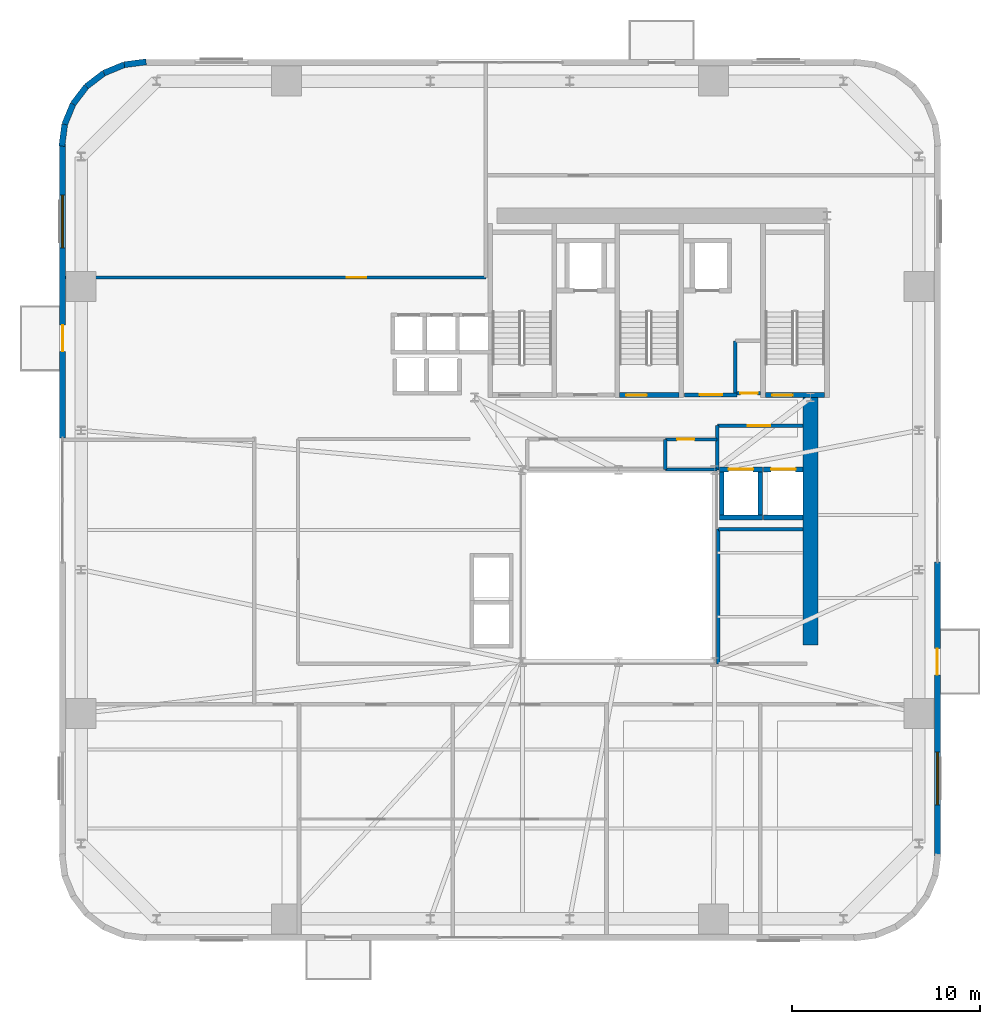
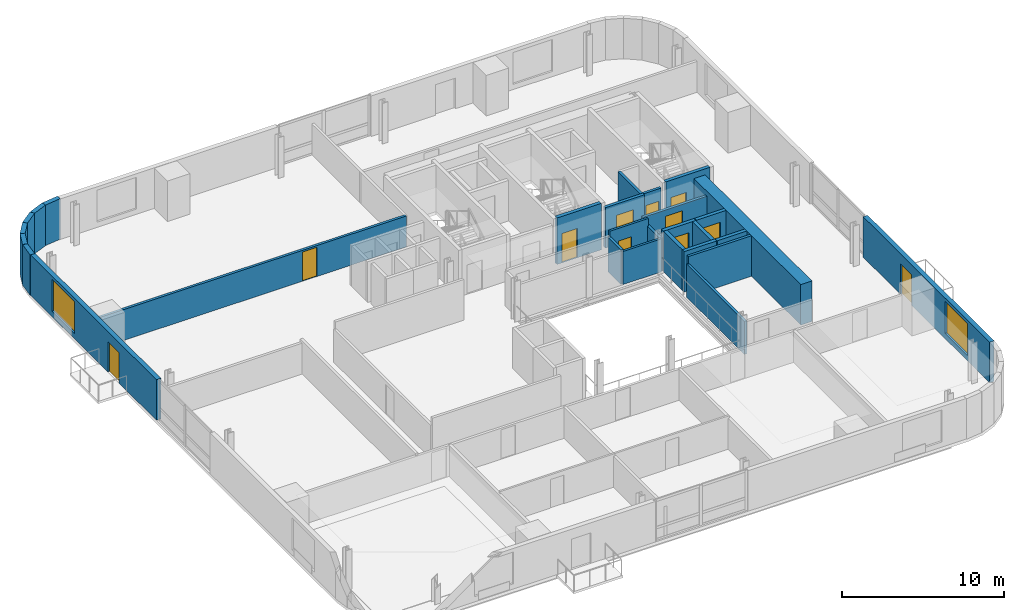
# One storey, part 7 of 14: 28 walls, 11 doors, 2 windows, 13 openings.
"""IFC4 building model written with IfcOpenShell, lengths in metres."""

from ifc_helpers import new_model, si_unit, direction, frame, frame_2d, origin, place, context, subcontext, project, spatial, rectangle, extrude, source, transform, mapped, material, layer, layer_set, type_object, element, fill, save


model = new_model("IFC4")

# Units and contexts
model_context = context("Model", 3, precision=1e-05, world=origin(), true_north=direction((0.0, 1.0)))
body_context = subcontext(model_context, "Body", "Model", "MODEL_VIEW")
ifc_project = project(units=[si_unit("LENGTHUNIT", "METRE"), si_unit("AREAUNIT", "SQUARE_METRE"), si_unit("VOLUMEUNIT", "CUBIC_METRE"), si_unit("PLANEANGLEUNIT", "RADIAN"), si_unit("MASSUNIT", "GRAM", prefix="KILO")], contexts=[model_context])

# Site, building, storey
site_placement = place(None, origin())
site = spatial("IfcSite", under=ifc_project, at=site_placement, CompositionType="ELEMENT")
building_placement = place(site_placement, origin())
building = spatial("IfcBuilding", under=site, at=building_placement, Name="Vardaveli Station Tower", CompositionType="ELEMENT")
storey_placement = place(building_placement, frame((0.0, 0.0, 163.10009765625)))
storey = spatial("IfcBuildingStorey", under=building, at=storey_placement, Name="L42", CompositionType="ELEMENT", Elevation=163.10009765625)

# Wall
ifc_material_1 = material(Name="Concrete C50/60", Category="concrete")
ifc_layer_1 = layer(ifc_material_1, 0.800048828125, Name="Concrete C50/60")
ifc_layer_set_1 = layer_set([ifc_layer_1], Name="Concrete C50/60")
wall_type_1 = type_object("IfcWallType", Name="WAL-CORE-800", PredefinedType="SHEAR", material=ifc_layer_set_1)
shared_shape_1 = source(origin(), body_context, "Body", "SweptSolid", [
    extrude(rectangle(XDim=13.14990234375, YDim=0.800048828125, at=frame_2d((6.574951171875, 0.0))), origin(), (0.0, 0.0, 1.0), 3.0498046875),
])
wall_1_placement = place(storey_placement, frame((46.5, 17.5, 0.0), z_axis=(0.0, 0.0, 1.0), x_axis=(0.0, 1.0, 0.0)))
element("IfcWall", 1, at=wall_1_placement, inside=storey, type_object=wall_type_1, Name="SW-L42-EAST2", PredefinedType="SHEAR", context=body_context, shape_type="MappedRepresentation", body=[
    mapped(shared_shape_1, transform((0.0, 0.0, 0.0), scale=1.0)),
])

# Wall, openings, door, window
ifc_material_2 = material(Name="Precast concrete C45/55", Category="concrete")
ifc_layer_2 = layer(ifc_material_2, 0.320068359375, Name="Precast concrete C45/55")
ifc_layer_set_2 = layer_set([ifc_layer_2], Name="Precast concrete C45/55")
wall_type_2 = type_object("IfcWallType", Name="WAL-EXT-STONE-320", PredefinedType="SOLIDWALL", material=ifc_layer_set_2)
shared_shape_2 = source(origin(), body_context, "Body", "SweptSolid", [
    extrude(rectangle(XDim=15.599853515625, YDim=0.320068359375, at=frame_2d((7.7998046875, 0.0))), origin(), (0.0, 0.0, 1.0), 3.0498046875),
])
wall_2_placement = place(storey_placement, frame((53.239990234375, 6.300048828125, 0.0), z_axis=(0.0, 0.0, 1.0), x_axis=(0.0, 1.0, 0.0)))
wall_2 = element("IfcWall", 2, at=wall_2_placement, inside=storey, type_object=wall_type_2, Name="EW-L42-E1", PredefinedType="SOLIDWALL", context=body_context, shape_type="MappedRepresentation", body=[
    mapped(shared_shape_2, transform((0.0, 0.0, 0.0), scale=1.0)),
])
shared_shape_3 = source(origin(), body_context, "Body", "SweptSolid", [
    extrude(rectangle(XDim=1.39990234375, YDim=2.300048828125, at=frame_2d((0.699951171875, 1.14990234375))), frame((0.0, 0.169921875, 0.0), z_axis=(0.0, -1.0, 0.0), x_axis=(1.0, 0.0, 0.0)), (0.0, 0.0, 1.0), 0.340087890625),
])
opening_1_placement = place(wall_2_placement, frame((9.6103515625, 0.0, 0.0)))
opening_1 = element("IfcOpeningElement", 3, at=opening_1_placement, cuts=wall_2, Name="Opening D-09", PredefinedType="OPENING", context=body_context, shape_type="MappedRepresentation", body=[
    mapped(shared_shape_3, transform((0.0, 0.0, 0.0), scale=1.0)),
])
shared_shape_4 = source(origin(), body_context, "Body", "SweptSolid", [
    extrude(rectangle(XDim=2.800048828125, YDim=2.39990234375, at=frame_2d((1.39990234375, 1.199951171875))), frame((0.0, 0.169921875, 0.0), z_axis=(0.0, -1.0, 0.0), x_axis=(1.0, 0.0, 0.0)), (0.0, 0.0, 1.0), 0.340087890625),
])
opening_2_placement = place(wall_2_placement, frame((2.705078125, 0.0, 0.389892578125)))
opening_2 = element("IfcOpeningElement", 4, at=opening_2_placement, cuts=wall_2, Name="Opening W-04", PredefinedType="OPENING", context=body_context, shape_type="MappedRepresentation", body=[
    mapped(shared_shape_4, transform((0.0, 0.0, 0.0), scale=1.0)),
])
ifc_material_3 = material(Name="Thermally broken aluminium glass", Category="aluminium")
door_type_1 = type_object("IfcDoorType", Name="DR-LOG-1400x2300", OperationType="DOUBLE_DOOR_SLIDING", PredefinedType="DOOR", material=ifc_material_3)
shared_shape_5 = source(origin(), body_context, "Body", "SweptSolid", [
    extrude(rectangle(XDim=1.39990234375, YDim=2.300048828125, at=frame_2d((0.699951171875, 1.14990234375))), frame((0.0, 0.02490234375, 0.0), z_axis=(0.0, -1.0, 0.0), x_axis=(1.0, 0.0, 0.0)), (0.0, 0.0, 1.0), 0.050048828125),
])
door_1_placement = place(opening_1_placement, frame((1.39990234375, 0.0, 0.0), z_axis=(0.0, 0.0, 1.0), x_axis=(-1.0, 0.0, 0.0)))
door_1 = element("IfcDoor", 5, at=door_1_placement, inside=storey, type_object=door_type_1, Name="DLG-L42-E", OperationType="DOUBLE_DOOR_SLIDING", OverallHeight=2.300048828125, OverallWidth=1.39990234375, PredefinedType="DOOR", context=body_context, shape_type="MappedRepresentation", body=[
    mapped(shared_shape_5, transform((0.0, 0.0, 0.0), scale=1.0)),
])
fill(opening_1, door_1)
ifc_material_4 = material(Name="Low-E solar-control glass", Category="glass")
window_type = type_object("IfcWindowType", Name="WIN-SUITE-2800x2400", PartitioningType="SINGLE_PANEL", PredefinedType="WINDOW", material=ifc_material_4)
shared_shape_6 = source(origin(), body_context, "Body", "SweptSolid", [
    extrude(rectangle(XDim=2.800048828125, YDim=2.39990234375, at=frame_2d((1.39990234375, 1.199951171875))), frame((0.0, 0.030029296875, 0.0), z_axis=(0.0, -1.0, 0.0), x_axis=(1.0, 0.0, 0.0)), (0.0, 0.0, 1.0), 0.06005859375),
])
window_1_placement = place(opening_2_placement, origin())
window_1 = element("IfcWindow", 6, at=window_1_placement, inside=storey, type_object=window_type, Name="WN-L42-E1", OverallHeight=2.39990234375, OverallWidth=2.800048828125, PartitioningType="SINGLE_PANEL", PredefinedType="WINDOW", context=body_context, shape_type="MappedRepresentation", body=[
    mapped(shared_shape_6, transform((0.0, 0.0, 0.0), scale=1.0)),
])
fill(opening_2, window_1)

shared_shape_7 = source(origin(), body_context, "Body", "SweptSolid", [
    extrude(rectangle(XDim=15.60009765625, YDim=0.320068359375, at=frame_2d((7.800048828125, 0.0))), origin(), (0.0, 0.0, 1.0), 3.0498046875),
])
wall_3_placement = place(storey_placement, frame((6.760009765625, 44.10009765625, 0.0), z_axis=(0.0, 0.0, 1.0), x_axis=(0.0, -1.0, 0.0)))
wall_3 = element("IfcWall", 7, at=wall_3_placement, inside=storey, type_object=wall_type_2, Name="EW-L42-W1", PredefinedType="SOLIDWALL", context=body_context, shape_type="MappedRepresentation", body=[
    mapped(shared_shape_7, transform((0.0, 0.0, 0.0), scale=1.0)),
])
opening_3_placement = place(wall_3_placement, frame((9.6103515625, 0.0, 0.0)))
opening_3 = element("IfcOpeningElement", 8, at=opening_3_placement, cuts=wall_3, Name="Opening D-09", PredefinedType="OPENING", context=body_context, shape_type="MappedRepresentation", body=[
    mapped(shared_shape_3, transform((0.0, 0.0, 0.0), scale=1.0)),
])
opening_4_placement = place(wall_3_placement, frame((2.705078125, 0.0, 0.389892578125)))
opening_4 = element("IfcOpeningElement", 9, at=opening_4_placement, cuts=wall_3, Name="Opening W-04", PredefinedType="OPENING", context=body_context, shape_type="MappedRepresentation", body=[
    mapped(shared_shape_4, transform((0.0, 0.0, 0.0), scale=1.0)),
])
door_2_placement = place(opening_3_placement, frame((1.39990234375, 0.0, 0.0), z_axis=(0.0, 0.0, 1.0), x_axis=(-1.0, 0.0, 0.0)))
door_2 = element("IfcDoor", 10, at=door_2_placement, inside=storey, type_object=door_type_1, Name="DLG-L42-W", OperationType="DOUBLE_DOOR_SLIDING", OverallHeight=2.300048828125, OverallWidth=1.39990234375, PredefinedType="DOOR", context=body_context, shape_type="MappedRepresentation", body=[
    mapped(shared_shape_5, transform((0.0, 0.0, 0.0), scale=1.0)),
])
fill(opening_3, door_2)
window_2_placement = place(opening_4_placement, origin())
window_2 = element("IfcWindow", 11, at=window_2_placement, inside=storey, type_object=window_type, Name="WN-L42-W1", OverallHeight=2.39990234375, OverallWidth=2.800048828125, PartitioningType="SINGLE_PANEL", PredefinedType="WINDOW", context=body_context, shape_type="MappedRepresentation", body=[
    mapped(shared_shape_6, transform((0.0, 0.0, 0.0), scale=1.0)),
])
fill(opening_4, window_2)

# Walls
shared_shape_8 = source(origin(), body_context, "Body", "SweptSolid", [
    extrude(rectangle(XDim=1.1689453125, YDim=0.320068359375, at=frame_2d((0.58447265625, 0.0))), origin(), (0.0, 0.0, 1.0), 3.0498046875),
])
wall_4_placement = place(storey_placement, frame((8.03125, 47.1689453125, 0.0), z_axis=(0.0, 0.0, 1.0), x_axis=(-0.608387696831, -0.793639975269, 0.0)))
element("IfcWall", 12, at=wall_4_placement, inside=storey, type_object=wall_type_2, Name="EW-L42-CR4-4", PredefinedType="SOLIDWALL", context=body_context, shape_type="MappedRepresentation", body=[
    mapped(shared_shape_8, transform((0.0, 0.0, 0.0), scale=1.0)),
])
shared_shape_9 = source(origin(), body_context, "Body", "SweptSolid", [
    extrude(rectangle(XDim=1.168701171875, YDim=0.320068359375, at=frame_2d((0.58447265625, 0.0))), origin(), (0.0, 0.0, 1.0), 3.0498046875),
])
wall_5_placement = place(storey_placement, frame((8.958740234375, 47.8798828125, 0.0), z_axis=(0.0, 0.0, 1.0), x_axis=(-0.793663520347, -0.608356981114, 0.0)))
element("IfcWall", 13, at=wall_5_placement, inside=storey, type_object=wall_type_2, Name="EW-L42-CR4-3", PredefinedType="SOLIDWALL", context=body_context, shape_type="MappedRepresentation", body=[
    mapped(shared_shape_9, transform((0.0, 0.0, 0.0), scale=1.0)),
])
shared_shape_10 = source(origin(), body_context, "Body", "SweptSolid", [
    extrude(rectangle(XDim=1.17041015625, YDim=0.320068359375, at=frame_2d((0.585205078125, 0.0))), origin(), (0.0, 0.0, 1.0), 3.0498046875),
])
for number, where, z_axis, x_axis, name in (
    (14, (11.200439453125, 48.4755859375, 0.0), (0.0, 0.0, 1.0), (-0.991735963317, -0.128295670475, 0.0), "EW-L42-CR4-1"),
    (15, (6.87451171875, 45.16015625, 0.0), (0.0, 0.0, 1.0), (-0.128295670475, -0.991735963317, 0.0), "EW-L42-CR4-6"),
):
    element("IfcWall", number, at=place(storey_placement, frame(where, z_axis=z_axis, x_axis=x_axis)), inside=storey, type_object=wall_type_2, Name=name, PredefinedType="SOLIDWALL", context=body_context, shape_type="MappedRepresentation", body=[
        mapped(shared_shape_10, transform((0.0, 0.0, 0.0), scale=1.0)),
    ])
shared_shape_11 = source(origin(), body_context, "Body", "SweptSolid", [
    extrude(rectangle(XDim=1.169189453125, YDim=0.320068359375, at=frame_2d((0.58447265625, 0.0))), origin(), (0.0, 0.0, 1.0), 3.0498046875),
])
for number, where, z_axis, x_axis, name in (
    (16, (10.039794921875, 48.325439453125, 0.0), (0.0, 0.0, 1.0), (-0.924552646638, -0.381054331552, 0.0), "EW-L42-CR4-2"),
    (17, (7.320068359375, 46.2412109375, 0.0), (0.0, 0.0, 1.0), (-0.381054331552, -0.924552646638, 0.0), "EW-L42-CR4-5"),
):
    element("IfcWall", number, at=place(storey_placement, frame(where, z_axis=z_axis, x_axis=x_axis)), inside=storey, type_object=wall_type_2, Name=name, PredefinedType="SOLIDWALL", context=body_context, shape_type="MappedRepresentation", body=[
        mapped(shared_shape_11, transform((0.0, 0.0, 0.0), scale=1.0)),
    ])

# Wall, opening, door
ifc_material_5 = material(Name="Concrete C40/50", Category="concrete")
ifc_layer_3 = layer(ifc_material_5, 0.25, Name="Concrete C40/50")
ifc_layer_set_3 = layer_set([ifc_layer_3], Name="Concrete C40/50")
wall_type_3 = type_object("IfcWallType", Name="WAL-SHAFT-250", PredefinedType="SOLIDWALL", material=ifc_layer_set_3)
shared_shape_12 = source(origin(), body_context, "Body", "SweptSolid", [
    extrude(rectangle(XDim=3.14990234375, YDim=0.25, at=frame_2d((1.574951171875, 0.0))), origin(), (0.0, 0.0, 1.0), 3.5),
])
wall_6_placement = place(storey_placement, frame((36.35009765625, 30.77490234375, 0.0), z_axis=(0.0, 0.0, 1.0), x_axis=(1.0, 0.0, 0.0)))
wall_6 = element("IfcWall", 18, at=wall_6_placement, inside=storey, type_object=wall_type_3, Name="W-L42-ST-2S", PredefinedType="SOLIDWALL", context=body_context, shape_type="MappedRepresentation", body=[
    mapped(shared_shape_12, transform((0.0, 0.0, 0.0), scale=1.0)),
])
shared_shape_13 = source(origin(), body_context, "Body", "SweptSolid", [
    extrude(rectangle(XDim=1.10009765625, YDim=2.199951171875, at=frame_2d((0.550048828125, 1.10009765625))), frame((0.0, 0.135009765625, 0.0), z_axis=(0.0, -1.0, 0.0), x_axis=(1.0, 0.0, 0.0)), (0.0, 0.0, 1.0), 0.27001953125),
])
opening_5_placement = place(wall_6_placement, frame((0.35009765625, 0.0, 0.0)))
opening_5 = element("IfcOpeningElement", 19, at=opening_5_placement, cuts=wall_6, Name="Opening D-04", PredefinedType="OPENING", context=body_context, shape_type="MappedRepresentation", body=[
    mapped(shared_shape_13, transform((0.0, 0.0, 0.0), scale=1.0)),
])
ifc_material_6 = material(Name="Steel smokeproof fire doorset", Category="steel")
door_type_2 = type_object("IfcDoorType", Name="DR-ST-1100x2200", OperationType="NOTDEFINED", PredefinedType="DOOR", material=ifc_material_6)
shared_shape_14 = source(origin(), body_context, "Body", "SweptSolid", [
    extrude(rectangle(XDim=1.10009765625, YDim=2.199951171875, at=frame_2d((0.550048828125, 1.10009765625))), frame((0.0, 0.02490234375, 0.0), z_axis=(0.0, -1.0, 0.0), x_axis=(1.0, 0.0, 0.0)), (0.0, 0.0, 1.0), 0.050048828125),
])
door_3_placement = place(opening_5_placement, origin())
door_3 = element("IfcDoor", 20, at=door_3_placement, inside=storey, type_object=door_type_2, Name="DST-2-L42", OperationType="SINGLE_SWING_LEFT", OverallHeight=2.199951171875, OverallWidth=1.10009765625, PredefinedType="DOOR", context=body_context, shape_type="MappedRepresentation", body=[
    mapped(shared_shape_14, transform((0.0, 0.0, 0.0), scale=1.0)),
])
fill(opening_5, door_3)

wall_7_placement = place(storey_placement, frame((44.10009765625, 30.77490234375, 0.0), z_axis=(0.0, 0.0, 1.0), x_axis=(1.0, 0.0, 0.0)))
wall_7 = element("IfcWall", 21, at=wall_7_placement, inside=storey, type_object=wall_type_3, Name="W-L42-ST-3S", PredefinedType="SOLIDWALL", context=body_context, shape_type="MappedRepresentation", body=[
    mapped(shared_shape_12, transform((0.0, 0.0, 0.0), scale=1.0)),
])
opening_6_placement = place(wall_7_placement, frame((0.35009765625, 0.0, 0.0)))
opening_6 = element("IfcOpeningElement", 22, at=opening_6_placement, cuts=wall_7, Name="Opening D-04", PredefinedType="OPENING", context=body_context, shape_type="MappedRepresentation", body=[
    mapped(shared_shape_13, transform((0.0, 0.0, 0.0), scale=1.0)),
])
door_4_placement = place(opening_6_placement, origin())
door_4 = element("IfcDoor", 23, at=door_4_placement, inside=storey, type_object=door_type_2, Name="DST-3-L42", OperationType="SINGLE_SWING_LEFT", OverallHeight=2.199951171875, OverallWidth=1.10009765625, PredefinedType="DOOR", context=body_context, shape_type="MappedRepresentation", body=[
    mapped(shared_shape_14, transform((0.0, 0.0, 0.0), scale=1.0)),
])
fill(opening_6, door_4)

ifc_layer_4 = layer(ifc_material_5, 0.219970703125, Name="Concrete C40/50")
ifc_layer_set_4 = layer_set([ifc_layer_4], Name="Concrete C40/50")
wall_type_4 = type_object("IfcWallType", Name="WAL-FFLOBBY-220", PredefinedType="SOLIDWALL", material=ifc_layer_set_4)
shared_shape_15 = source(origin(), body_context, "Body", "SweptSolid", [
    extrude(rectangle(XDim=2.800048828125, YDim=0.219970703125, at=frame_2d((1.39990234375, 0.0))), origin(), (0.0, 0.0, 1.0), 3.0498046875),
])
wall_8_placement = place(storey_placement, frame((39.800048828125, 30.780029296875, 0.0), z_axis=(0.0, 0.0, 1.0), x_axis=(1.0, 0.0, 0.0)))
wall_8 = element("IfcWall", 24, at=wall_8_placement, inside=storey, type_object=wall_type_4, Name="W-L42-FFL2S", PredefinedType="SOLIDWALL", context=body_context, shape_type="MappedRepresentation", body=[
    mapped(shared_shape_15, transform((0.0, 0.0, 0.0), scale=1.0)),
])
shared_shape_16 = source(origin(), body_context, "Body", "SweptSolid", [
    extrude(rectangle(XDim=1.199951171875, YDim=2.199951171875, at=frame_2d((0.60009765625, 1.10009765625))), frame((0.0, 0.1201171875, 0.0), z_axis=(0.0, -1.0, 0.0), x_axis=(1.0, 0.0, 0.0)), (0.0, 0.0, 1.0), 0.239990234375),
])
opening_7_placement = place(wall_8_placement, frame((0.800048828125, 0.0, 0.0)))
opening_7 = element("IfcOpeningElement", 25, at=opening_7_placement, cuts=wall_8, Name="Opening D-03", PredefinedType="OPENING", context=body_context, shape_type="MappedRepresentation", body=[
    mapped(shared_shape_16, transform((0.0, 0.0, 0.0), scale=1.0)),
])
door_type_3 = type_object("IfcDoorType", Name="DR-FFL-1200x2200", OperationType="NOTDEFINED", PredefinedType="DOOR", material=ifc_material_6)
shared_shape_17 = source(origin(), body_context, "Body", "SweptSolid", [
    extrude(rectangle(XDim=1.199951171875, YDim=2.199951171875, at=frame_2d((0.60009765625, 1.10009765625))), frame((0.0, 0.02490234375, 0.0), z_axis=(0.0, -1.0, 0.0), x_axis=(1.0, 0.0, 0.0)), (0.0, 0.0, 1.0), 0.050048828125),
])
door_5_placement = place(opening_7_placement, origin())
door_5 = element("IfcDoor", 26, at=door_5_placement, inside=storey, type_object=door_type_3, Name="DFFL2-L42", OperationType="SINGLE_SWING_RIGHT", OverallHeight=2.199951171875, OverallWidth=1.199951171875, PredefinedType="DOOR", context=body_context, shape_type="MappedRepresentation", body=[
    mapped(shared_shape_17, transform((0.0, 0.0, 0.0), scale=1.0)),
])
fill(opening_7, door_5)

# Wall
shared_shape_18 = source(origin(), body_context, "Body", "SweptSolid", [
    extrude(rectangle(XDim=2.300048828125, YDim=0.25, at=frame_2d((1.14990234375, 0.0))), origin(), (0.0, 0.0, 1.0), 3.0498046875),
])
wall_9_placement = place(storey_placement, frame((41.64990234375, 24.27490234375, 0.0), z_axis=(0.0, 0.0, 1.0), x_axis=(1.0, 0.0, 0.0)))
element("IfcWall", 27, at=wall_9_placement, inside=storey, type_object=wall_type_3, Name="SHW-SRV-01-L42-S", PredefinedType="SOLIDWALL", context=body_context, shape_type="MappedRepresentation", body=[
    mapped(shared_shape_18, transform((0.0, 0.0, 0.0), scale=1.0)),
])

# Wall, opening, door
wall_10_placement = place(storey_placement, frame((41.64990234375, 26.824951171875, 0.0), z_axis=(0.0, 0.0, 1.0), x_axis=(1.0, 0.0, 0.0)))
wall_10 = element("IfcWall", 28, at=wall_10_placement, inside=storey, type_object=wall_type_3, Name="SHW-SRV-01-L42-N", PredefinedType="SOLIDWALL", context=body_context, shape_type="MappedRepresentation", body=[
    mapped(shared_shape_18, transform((0.0, 0.0, 0.0), scale=1.0)),
])
shared_shape_19 = source(origin(), body_context, "Body", "SweptSolid", [
    extrude(rectangle(XDim=1.300048828125, YDim=2.300048828125, at=frame_2d((0.64990234375, 1.14990234375))), frame((0.0, 0.135009765625, 0.0), z_axis=(0.0, -1.0, 0.0), x_axis=(1.0, 0.0, 0.0)), (0.0, 0.0, 1.0), 0.27001953125),
])
opening_8_placement = place(wall_10_placement, frame((0.5, 0.0, 0.0)))
opening_8 = element("IfcOpeningElement", 29, at=opening_8_placement, cuts=wall_10, Name="Opening LD-03", PredefinedType="OPENING", context=body_context, shape_type="MappedRepresentation", body=[
    mapped(shared_shape_19, transform((0.0, 0.0, 0.0), scale=1.0)),
])
ifc_material_7 = material(Name="Brushed stainless steel", Category="steel")
door_type_4 = type_object("IfcDoorType", Name="DR-LD-1300x2300", OperationType="DOUBLE_DOOR_SLIDING", PredefinedType="DOOR", material=ifc_material_7)
shared_shape_20 = source(origin(), body_context, "Body", "SweptSolid", [
    extrude(rectangle(XDim=1.300048828125, YDim=2.300048828125, at=frame_2d((0.64990234375, 1.14990234375))), frame((0.0, 0.02490234375, 0.0), z_axis=(0.0, -1.0, 0.0), x_axis=(1.0, 0.0, 0.0)), (0.0, 0.0, 1.0), 0.050048828125),
])
door_6_placement = place(opening_8_placement, origin())
door_6 = element("IfcDoor", 30, at=door_6_placement, inside=storey, type_object=door_type_4, Name="LD-SRV-01-L42", OperationType="DOUBLE_DOOR_SLIDING", OverallHeight=2.300048828125, OverallWidth=1.300048828125, PredefinedType="DOOR", context=body_context, shape_type="MappedRepresentation", body=[
    mapped(shared_shape_20, transform((0.0, 0.0, 0.0), scale=1.0)),
])
fill(opening_8, door_6)

# Walls
for number, where, z_axis, x_axis, name in (
    (31, (41.77490234375, 24.39990234375, 0.0), (0.0, 0.0, 1.0), (0.0, 1.0, 0.0), "SHW-SRV-01-L42-W"),
    (32, (43.824951171875, 24.39990234375, 0.0), (0.0, 0.0, 1.0), (0.0, 1.0, 0.0), "SHW-SRV-01-L42-E"),
):
    element("IfcWall", number, at=place(storey_placement, frame(where, z_axis=z_axis, x_axis=x_axis)), inside=storey, type_object=wall_type_3, Name=name, PredefinedType="SOLIDWALL", context=body_context, shape_type="MappedRepresentation", body=[
        mapped(shared_shape_18, transform((0.0, 0.0, 0.0), scale=1.0)),
    ])
shared_shape_21 = source(origin(), body_context, "Body", "SweptSolid", [
    extrude(rectangle(XDim=2.10009765625, YDim=0.25, at=frame_2d((1.050048828125, 0.0))), origin(), (0.0, 0.0, 1.0), 3.0498046875),
])
wall_11_placement = place(storey_placement, frame((44.0, 24.27490234375, 0.0), z_axis=(0.0, 0.0, 1.0), x_axis=(1.0, 0.0, 0.0)))
element("IfcWall", 33, at=wall_11_placement, inside=storey, type_object=wall_type_3, Name="SHW-SRV-02-L42-S", PredefinedType="SOLIDWALL", context=body_context, shape_type="MappedRepresentation", body=[
    mapped(shared_shape_21, transform((0.0, 0.0, 0.0), scale=1.0)),
])

# Wall, opening, door
wall_12_placement = place(storey_placement, frame((44.0, 26.824951171875, 0.0), z_axis=(0.0, 0.0, 1.0), x_axis=(1.0, 0.0, 0.0)))
wall_12 = element("IfcWall", 34, at=wall_12_placement, inside=storey, type_object=wall_type_3, Name="SHW-SRV-02-L42-N", PredefinedType="SOLIDWALL", context=body_context, shape_type="MappedRepresentation", body=[
    mapped(shared_shape_21, transform((0.0, 0.0, 0.0), scale=1.0)),
])
opening_9_placement = place(wall_12_placement, frame((0.39990234375, 0.0, 0.0)))
opening_9 = element("IfcOpeningElement", 35, at=opening_9_placement, cuts=wall_12, Name="Opening LD-03", PredefinedType="OPENING", context=body_context, shape_type="MappedRepresentation", body=[
    mapped(shared_shape_19, transform((0.0, 0.0, 0.0), scale=1.0)),
])
door_7_placement = place(opening_9_placement, origin())
door_7 = element("IfcDoor", 36, at=door_7_placement, inside=storey, type_object=door_type_4, Name="LD-SRV-02-L42", OperationType="DOUBLE_DOOR_SLIDING", OverallHeight=2.300048828125, OverallWidth=1.300048828125, PredefinedType="DOOR", context=body_context, shape_type="MappedRepresentation", body=[
    mapped(shared_shape_20, transform((0.0, 0.0, 0.0), scale=1.0)),
])
fill(opening_9, door_7)

ifc_material_8 = material(Name="Fire-rated gypsum stud partition")
ifc_layer_5 = layer(ifc_material_8, 0.179931640625, Name="Fire-rated gypsum stud partition")
ifc_layer_set_5 = layer_set([ifc_layer_5], Name="Fire-rated gypsum stud partition")
wall_type_5 = type_object("IfcWallType", Name="WAL-CORR-180", PredefinedType="PARTITIONING", material=ifc_layer_set_5)
shared_shape_22 = source(origin(), body_context, "Body", "SweptSolid", [
    extrude(rectangle(XDim=22.327880859375, YDim=0.179931640625, at=frame_2d((11.1640625, 0.0))), origin(), (0.0, 0.0, 1.0), 2.325927734375),
])
wall_13_placement = place(storey_placement, frame((6.922119140625, 37.02001953125, 0.0), z_axis=(0.0, 0.0, 1.0), x_axis=(1.0, 0.0, 0.0)))
wall_13 = element("IfcWall", 37, at=wall_13_placement, inside=storey, type_object=wall_type_5, Name="W-L42-CNWS", PredefinedType="PARTITIONING", context=body_context, shape_type="MappedRepresentation", body=[
    mapped(shared_shape_22, transform((0.0, 0.0, 0.0), scale=1.0)),
])
shared_shape_23 = source(origin(), body_context, "Body", "SweptSolid", [
    extrude(rectangle(XDim=1.050048828125, YDim=2.199951171875, at=frame_2d((0.52490234375, 1.10009765625))), frame((0.0, 0.10009765625, 0.0), z_axis=(0.0, -1.0, 0.0), x_axis=(1.0, 0.0, 0.0)), (0.0, 0.0, 1.0), 0.199951171875),
])
opening_10_placement = place(wall_13_placement, frame((14.927978515625, 0.0, 0.0)))
opening_10 = element("IfcOpeningElement", 38, at=opening_10_placement, cuts=wall_13, Name="Opening D-05", PredefinedType="OPENING", context=body_context, shape_type="MappedRepresentation", body=[
    mapped(shared_shape_23, transform((0.0, 0.0, 0.0), scale=1.0)),
])
ifc_material_9 = material(Name="Walnut veneer acoustic fire door")
door_type_5 = type_object("IfcDoorType", Name="DR-SUITE-1050x2200", OperationType="NOTDEFINED", PredefinedType="DOOR", material=ifc_material_9)
shared_shape_24 = source(origin(), body_context, "Body", "SweptSolid", [
    extrude(rectangle(XDim=1.050048828125, YDim=2.199951171875, at=frame_2d((0.52490234375, 1.10009765625))), frame((0.0, 0.02490234375, 0.0), z_axis=(0.0, -1.0, 0.0), x_axis=(1.0, 0.0, 0.0)), (0.0, 0.0, 1.0), 0.050048828125),
])
door_8_placement = place(opening_10_placement, origin())
door_8 = element("IfcDoor", 39, at=door_8_placement, inside=storey, type_object=door_type_5, Name="D-L42-GNW1", OperationType="SINGLE_SWING_RIGHT", OverallHeight=2.199951171875, OverallWidth=1.050048828125, PredefinedType="DOOR", context=body_context, shape_type="MappedRepresentation", body=[
    mapped(shared_shape_24, transform((0.0, 0.0, 0.0), scale=1.0)),
])
fill(opening_10, door_8)

shared_shape_25 = source(origin(), body_context, "Body", "SweptSolid", [
    extrude(rectangle(XDim=4.5478515625, YDim=0.179931640625, at=frame_2d((2.27392578125, 0.0))), origin(), (0.0, 0.0, 1.0), 2.681884765625),
])
wall_14_placement = place(storey_placement, frame((41.550048828125, 29.14990234375, 0.0), z_axis=(0.0, 0.0, 1.0), x_axis=(1.0, 0.0, 0.0)))
wall_14 = element("IfcWall", 40, at=wall_14_placement, inside=storey, type_object=wall_type_5, Name="W-L42-SVFN", PredefinedType="PARTITIONING", context=body_context, shape_type="MappedRepresentation", body=[
    mapped(shared_shape_25, transform((0.0, 0.0, 0.0), scale=1.0)),
])
shared_shape_26 = source(origin(), body_context, "Body", "SweptSolid", [
    extrude(rectangle(XDim=1.199951171875, YDim=2.199951171875, at=frame_2d((0.60009765625, 1.10009765625))), frame((0.0, 0.10009765625, 0.0), z_axis=(0.0, -1.0, 0.0), x_axis=(1.0, 0.0, 0.0)), (0.0, 0.0, 1.0), 0.199951171875),
])
opening_11_placement = place(wall_14_placement, frame((1.60009765625, 0.0, 0.0)))
opening_11 = element("IfcOpeningElement", 41, at=opening_11_placement, cuts=wall_14, Name="Opening D-03", PredefinedType="OPENING", context=body_context, shape_type="MappedRepresentation", body=[
    mapped(shared_shape_26, transform((0.0, 0.0, 0.0), scale=1.0)),
])
door_9_placement = place(opening_11_placement, origin())
door_9 = element("IfcDoor", 42, at=door_9_placement, inside=storey, type_object=door_type_3, Name="D-L42-SVF", OperationType="SINGLE_SWING_LEFT", OverallHeight=2.199951171875, OverallWidth=1.199951171875, PredefinedType="DOOR", context=body_context, shape_type="MappedRepresentation", body=[
    mapped(shared_shape_17, transform((0.0, 0.0, 0.0), scale=1.0)),
])
fill(opening_11, door_9)

ifc_material_10 = material(Name="Moisture-resistant stud partition")
ifc_layer_6 = layer(ifc_material_10, 0.14990234375, Name="Moisture-resistant stud partition")
ifc_layer_set_6 = layer_set([ifc_layer_6], Name="Moisture-resistant stud partition")
wall_type_6 = type_object("IfcWallType", Name="WAL-WET-150", PredefinedType="PARTITIONING", material=ifc_layer_set_6)
shared_shape_27 = source(origin(), body_context, "Body", "SweptSolid", [
    extrude(rectangle(XDim=2.739990234375, YDim=0.14990234375, at=frame_2d((1.3701171875, 0.0))), origin(), (0.0, 0.0, 1.0), 3.0498046875),
])
wall_15_placement = place(storey_placement, frame((38.780029296875, 28.419921875, 0.0), z_axis=(0.0, 0.0, 1.0), x_axis=(1.0, 0.0, 0.0)))
wall_15 = element("IfcWall", 43, at=wall_15_placement, inside=storey, type_object=wall_type_6, Name="W-L42-WCA0-N", PredefinedType="PARTITIONING", context=body_context, shape_type="MappedRepresentation", body=[
    mapped(shared_shape_27, transform((0.0, 0.0, 0.0), scale=1.0)),
])
shared_shape_28 = source(origin(), body_context, "Body", "SweptSolid", [
    extrude(rectangle(XDim=0.919921875, YDim=2.10009765625, at=frame_2d((0.4599609375, 1.050048828125))), frame((0.0, 0.0849609375, 0.0), z_axis=(0.0, -1.0, 0.0), x_axis=(1.0, 0.0, 0.0)), (0.0, 0.0, 1.0), 0.169921875),
])
opening_12_placement = place(wall_15_placement, frame((0.6298828125, 0.0, 0.0)))
opening_12 = element("IfcOpeningElement", 44, at=opening_12_placement, cuts=wall_15, Name="Opening D-07", PredefinedType="OPENING", context=body_context, shape_type="MappedRepresentation", body=[
    mapped(shared_shape_28, transform((0.0, 0.0, 0.0), scale=1.0)),
])
ifc_material_11 = material(Name="Moisture-resistant hardwood door", Category="wood")
door_type_6 = type_object("IfcDoorType", Name="DR-WC-920x2100", OperationType="NOTDEFINED", PredefinedType="DOOR", material=ifc_material_11)
shared_shape_29 = source(origin(), body_context, "Body", "SweptSolid", [
    extrude(rectangle(XDim=0.919921875, YDim=2.10009765625, at=frame_2d((0.4599609375, 1.050048828125))), frame((0.0, 0.02490234375, 0.0), z_axis=(0.0, -1.0, 0.0), x_axis=(1.0, 0.0, 0.0)), (0.0, 0.0, 1.0), 0.050048828125),
])
door_10_placement = place(opening_12_placement, origin())
door_10 = element("IfcDoor", 45, at=door_10_placement, inside=storey, type_object=door_type_6, Name="D-L42-WCA", OperationType="SINGLE_SWING_LEFT", OverallHeight=2.10009765625, OverallWidth=0.919921875, PredefinedType="DOOR", context=body_context, shape_type="MappedRepresentation", body=[
    mapped(shared_shape_29, transform((0.0, 0.0, 0.0), scale=1.0)),
])
fill(opening_12, door_10)

shared_shape_30 = source(origin(), body_context, "Body", "SweptSolid", [
    extrude(rectangle(XDim=1.247802734375, YDim=0.179931640625, at=frame_2d((0.6240234375, 0.0))), origin(), (0.0, 0.0, 1.0), 3.0498046875),
])
wall_16_placement = place(storey_placement, frame((42.60009765625, 30.8798828125, 0.0), z_axis=(0.0, 0.0, 1.0), x_axis=(1.0, 0.0, 0.0)))
wall_16 = element("IfcWall", 46, at=wall_16_placement, inside=storey, type_object=wall_type_5, Name="W-L42-CBS0-S", PredefinedType="PARTITIONING", context=body_context, shape_type="MappedRepresentation", body=[
    mapped(shared_shape_30, transform((0.0, 0.0, 0.0), scale=1.0)),
])
shared_shape_31 = source(origin(), body_context, "Body", "SweptSolid", [
    extrude(rectangle(XDim=0.919921875, YDim=2.10009765625, at=frame_2d((0.4599609375, 1.050048828125))), frame((0.0, 0.10009765625, 0.0), z_axis=(0.0, -1.0, 0.0), x_axis=(1.0, 0.0, 0.0)), (0.0, 0.0, 1.0), 0.199951171875),
])
opening_13_placement = place(wall_16_placement, frame((0.1640625, 0.0, 0.0)))
opening_13 = element("IfcOpeningElement", 47, at=opening_13_placement, cuts=wall_16, Name="Opening D-07", PredefinedType="OPENING", context=body_context, shape_type="MappedRepresentation", body=[
    mapped(shared_shape_31, transform((0.0, 0.0, 0.0), scale=1.0)),
])
door_11_placement = place(opening_13_placement, origin())
door_11 = element("IfcDoor", 48, at=door_11_placement, inside=storey, type_object=door_type_6, Name="D-L42-CBS0", OperationType="SINGLE_SWING_LEFT", OverallHeight=2.10009765625, OverallWidth=0.919921875, PredefinedType="DOOR", context=body_context, shape_type="MappedRepresentation", body=[
    mapped(shared_shape_29, transform((0.0, 0.0, 0.0), scale=1.0)),
])
fill(opening_13, door_11)

# Walls
shared_shape_32 = source(origin(), body_context, "Body", "SweptSolid", [
    extrude(rectangle(XDim=7.14990234375, YDim=0.179931640625, at=frame_2d((3.574951171875, 0.0))), origin(), (0.0, 0.0, 1.0), 2.491943359375),
])
wall_17_placement = place(storey_placement, frame((41.60009765625, 16.5, 0.0), z_axis=(0.0, 0.0, 1.0), x_axis=(0.0, 1.0, 0.0)))
element("IfcWall", 49, at=wall_17_placement, inside=storey, type_object=wall_type_5, Name="W-L42-ATE-W", PredefinedType="PARTITIONING", context=body_context, shape_type="MappedRepresentation", body=[
    mapped(shared_shape_32, transform((0.0, 0.0, 0.0), scale=1.0)),
])
shared_shape_33 = source(origin(), body_context, "Body", "SweptSolid", [
    extrude(rectangle(XDim=4.497802734375, YDim=0.179931640625, at=frame_2d((2.2490234375, 0.0))), origin(), (0.0, 0.0, 1.0), 3.0498046875),
])
wall_18_placement = place(storey_placement, frame((41.60009765625, 23.64990234375, 0.0), z_axis=(0.0, 0.0, 1.0), x_axis=(1.0, 0.0, 0.0)))
element("IfcWall", 50, at=wall_18_placement, inside=storey, type_object=wall_type_5, Name="W-L42-ATE-N", PredefinedType="PARTITIONING", context=body_context, shape_type="MappedRepresentation", body=[
    mapped(shared_shape_33, transform((0.0, 0.0, 0.0), scale=1.0)),
])
shared_shape_34 = source(origin(), body_context, "Body", "SweptSolid", [
    extrude(rectangle(XDim=2.7578125, YDim=0.179931640625, at=frame_2d((1.37890625, 0.0))), origin(), (0.0, 0.0, 1.0), 3.0498046875),
])
wall_19_placement = place(storey_placement, frame((42.5, 30.89208984375, 0.0), z_axis=(0.0, 0.0, 1.0), x_axis=(0.0, 1.0, 0.0)))
element("IfcWall", 51, at=wall_19_placement, inside=storey, type_object=wall_type_5, Name="W-L42-CBS0-W", PredefinedType="PARTITIONING", context=body_context, shape_type="MappedRepresentation", body=[
    mapped(shared_shape_34, transform((0.0, 0.0, 0.0), scale=1.0)),
])
shared_shape_35 = source(origin(), body_context, "Body", "SweptSolid", [
    extrude(rectangle(XDim=2.739990234375, YDim=0.14990234375, at=frame_2d((1.3701171875, 0.0))), origin(), (0.0, 0.0, 1.0), 2.491943359375),
])
wall_20_placement = place(storey_placement, frame((38.780029296875, 26.820068359375, 0.0), z_axis=(0.0, 0.0, 1.0), x_axis=(1.0, 0.0, 0.0)))
element("IfcWall", 52, at=wall_20_placement, inside=storey, type_object=wall_type_6, Name="W-L42-WCA0-S", PredefinedType="PARTITIONING", context=body_context, shape_type="MappedRepresentation", body=[
    mapped(shared_shape_35, transform((0.0, 0.0, 0.0), scale=1.0)),
])
shared_shape_36 = source(origin(), body_context, "Body", "SweptSolid", [
    extrude(rectangle(XDim=2.349853515625, YDim=0.179931640625, at=frame_2d((1.1748046875, 0.0))), origin(), (0.0, 0.0, 1.0), 2.491943359375),
])
wall_21_placement = place(storey_placement, frame((41.550048828125, 26.800048828125, 0.0), z_axis=(0.0, 0.0, 1.0), x_axis=(0.0, 1.0, 0.0)))
element("IfcWall", 53, at=wall_21_placement, inside=storey, type_object=wall_type_5, Name="W-L42-SVFW", PredefinedType="PARTITIONING", context=body_context, shape_type="MappedRepresentation", body=[
    mapped(shared_shape_36, transform((0.0, 0.0, 0.0), scale=1.0)),
])
shared_shape_37 = source(origin(), body_context, "Body", "SweptSolid", [
    extrude(rectangle(XDim=1.599853515625, YDim=0.179931640625, at=frame_2d((0.7998046875, 0.0))), origin(), (0.0, 0.0, 1.0), 2.591796875),
])
wall_22_placement = place(storey_placement, frame((38.780029296875, 26.820068359375, 0.0), z_axis=(0.0, 0.0, 1.0), x_axis=(0.0, 1.0, 0.0)))
element("IfcWall", 54, at=wall_22_placement, inside=storey, type_object=wall_type_5, Name="W-L42-HKP0-E", PredefinedType="PARTITIONING", context=body_context, shape_type="MappedRepresentation", body=[
    mapped(shared_shape_37, transform((0.0, 0.0, 0.0), scale=1.0)),
])

save(model, "model.ifc")
